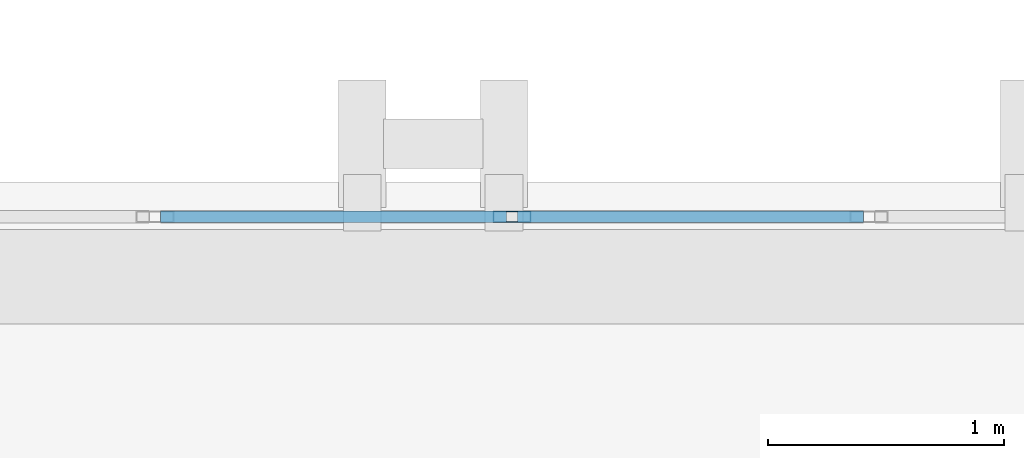
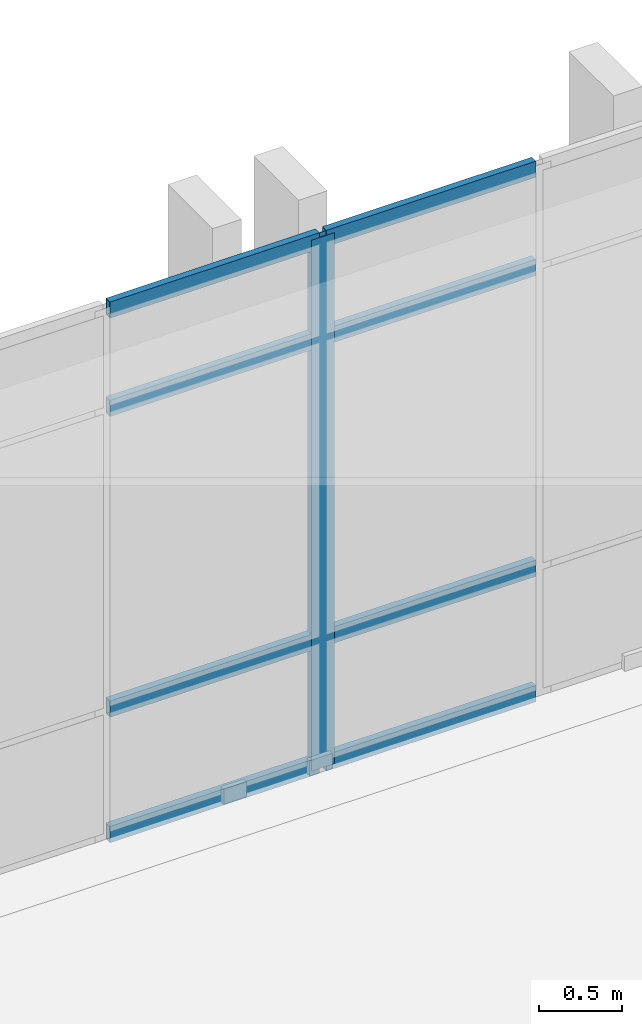
# One storey, part 102 of 165: 9 members, 1 element without a shape of its own.
"""IFC4 building model written with IfcOpenShell, lengths in metres."""

from ifc_helpers import new_model, si_unit, direction, frame, origin, origin_2d, place, context, subcontext, project, spatial, hollow_rectangle, extrude, material, layer, layer_set, material_profile, profile_set, type_object, element, aggregate, save


model = new_model("IFC4")

# Units and contexts
model_context = context("Model", 3, precision=1e-05, world=origin(), true_north=direction((0.0, 1.0)))
body_context = subcontext(model_context, "Body", "Model", "MODEL_VIEW")
ifc_project = project(units=[si_unit("LENGTHUNIT", "METRE"), si_unit("AREAUNIT", "SQUARE_METRE"), si_unit("VOLUMEUNIT", "CUBIC_METRE"), si_unit("PLANEANGLEUNIT", "RADIAN"), si_unit("MASSUNIT", "GRAM", prefix="KILO")], contexts=[model_context])

# Site, building, storey
site_placement = place(None, origin())
site = spatial("IfcSite", under=ifc_project, at=site_placement, CompositionType="ELEMENT")
building_placement = place(site_placement, origin())
building = spatial("IfcBuilding", under=site, at=building_placement, Name="Qalavern Law Courts", CompositionType="ELEMENT")
storey_placement = place(building_placement, frame((0.0, 0.0, 14.39990234375)))
storey = spatial("IfcBuildingStorey", under=building, at=storey_placement, Name="L03", CompositionType="ELEMENT", Elevation=14.39990234375)

# Curtain wall, members
ifc_material_1 = material(Name="Anodised aluminium and insulated glazing", Category="aluminium")
ifc_layer = layer(ifc_material_1, 0.172119140625)
ifc_layer_set = layer_set([ifc_layer], Name="Anodised aluminium and insulated glazing")
curtain_wall_type = type_object("IfcCurtainWallType", Name="ENV-CW-COURT", PredefinedType="USERDEFINED", material=ifc_layer_set)
curtain_wall_placement = place(storey_placement, origin())
curtain_wall = element("IfcCurtainWall", 1, at=curtain_wall_placement, inside=storey, type_object=curtain_wall_type, Name="V4 unitised curtain wall L03 north 1", ObjectType="UNITISED CURTAIN WALL", PredefinedType="USERDEFINED")
ifc_material_2 = material(Name="Anodised aluminium", Category="aluminium")
ifc_material_profile_1 = material_profile(ifc_material_2, hollow_rectangle(XDim=0.048095703125, YDim=0.159912109375, WallThickness=0.00390625, at=origin_2d()), Name="ALU MULLION 48x160")
ifc_profile_set_1 = profile_set([ifc_material_profile_1], Name="Anodised aluminium")
member_type_1 = type_object("IfcMemberType", Name="ENV-CWM-48x160", PredefinedType="MULLION", material=ifc_profile_set_1)
member_1_placement = place(storey_placement, frame((96.833251953125, 85.652587890625, 0.0), z_axis=(0.0, 0.0, 1.0), x_axis=(0.0, -1.0, 0.0)))
member_1 = element("IfcMember", 2, at=member_1_placement, type_object=member_type_1, Name="CW-03 mullion 7", PredefinedType="MULLION", context=body_context, shape_type="SweptSolid", body=[
    extrude(hollow_rectangle(XDim=0.048095703125, YDim=0.159912109375, WallThickness=0.00390625, at=origin_2d()), origin(), (0.0, 0.0, 1.0), 3.920166015625),
])
ifc_material_profile_2 = material_profile(ifc_material_2, hollow_rectangle(XDim=0.048095703125, YDim=0.1201171875, WallThickness=0.00390625, at=origin_2d()), Name="ALU TRANSOM 48x120")
ifc_profile_set_2 = profile_set([ifc_material_profile_2], Name="Anodised aluminium")
member_type_2 = type_object("IfcMemberType", Name="ENV-CWT-48x120", PredefinedType="USERDEFINED", material=ifc_profile_set_2)
member_2_placement = place(storey_placement, frame((98.320556640625, 85.652587890625, 0.024169921875), z_axis=(-1.0, 0.0, 0.0), x_axis=(0.0, -1.0, 0.0)))
member_2 = element("IfcMember", 3, at=member_2_placement, type_object=member_type_2, Name="CW-03 transom 6.1", ObjectType="TRANSOM", PredefinedType="USERDEFINED", context=body_context, shape_type="SweptSolid", body=[
    extrude(hollow_rectangle(XDim=0.048095703125, YDim=0.1201171875, WallThickness=0.00390625, at=origin_2d()), origin(), (0.0, 0.0, 1.0), 1.463134765625),
])
member_3_placement = place(storey_placement, frame((98.320556640625, 85.652587890625, 0.9501953125), z_axis=(-1.0, 0.0, 0.0), x_axis=(0.0, -1.0, 0.0)))
member_3 = element("IfcMember", 4, at=member_3_placement, type_object=member_type_2, Name="CW-03 transom 6.2", ObjectType="TRANSOM", PredefinedType="USERDEFINED", context=body_context, shape_type="SweptSolid", body=[
    extrude(hollow_rectangle(XDim=0.048095703125, YDim=0.1201171875, WallThickness=0.00390625, at=origin_2d()), origin(), (0.0, 0.0, 1.0), 1.463134765625),
])
member_4_placement = place(storey_placement, frame((98.320556640625, 85.652587890625, 3.170166015625), z_axis=(-1.0, 0.0, 0.0), x_axis=(0.0, -1.0, 0.0)))
member_4 = element("IfcMember", 5, at=member_4_placement, type_object=member_type_2, Name="CW-03 transom 6.3", ObjectType="TRANSOM", PredefinedType="USERDEFINED", context=body_context, shape_type="SweptSolid", body=[
    extrude(hollow_rectangle(XDim=0.048095703125, YDim=0.1201171875, WallThickness=0.00390625, at=origin_2d()), origin(), (0.0, 0.0, 1.0), 1.463134765625),
])
member_5_placement = place(storey_placement, frame((98.320556640625, 85.652587890625, 3.89599609375), z_axis=(-1.0, 0.0, 0.0), x_axis=(0.0, -1.0, 0.0)))
member_5 = element("IfcMember", 6, at=member_5_placement, type_object=member_type_2, Name="CW-03 transom 6.4", ObjectType="TRANSOM", PredefinedType="USERDEFINED", context=body_context, shape_type="SweptSolid", body=[
    extrude(hollow_rectangle(XDim=0.048095703125, YDim=0.1201171875, WallThickness=0.00390625, at=origin_2d()), origin(), (0.0, 0.0, 1.0), 1.463134765625),
])
member_6_placement = place(storey_placement, frame((96.809326171875, 85.652587890625, 0.024169921875), z_axis=(-1.0, 0.0, 0.0), x_axis=(0.0, -1.0, 0.0)))
member_6 = element("IfcMember", 7, at=member_6_placement, type_object=member_type_2, Name="CW-03 transom 7.1", ObjectType="TRANSOM", PredefinedType="USERDEFINED", context=body_context, shape_type="SweptSolid", body=[
    extrude(hollow_rectangle(XDim=0.048095703125, YDim=0.1201171875, WallThickness=0.00390625, at=origin_2d()), origin(), (0.0, 0.0, 1.0), 1.463134765625),
])
member_7_placement = place(storey_placement, frame((96.809326171875, 85.652587890625, 0.9501953125), z_axis=(-1.0, 0.0, 0.0), x_axis=(0.0, -1.0, 0.0)))
member_7 = element("IfcMember", 8, at=member_7_placement, type_object=member_type_2, Name="CW-03 transom 7.2", ObjectType="TRANSOM", PredefinedType="USERDEFINED", context=body_context, shape_type="SweptSolid", body=[
    extrude(hollow_rectangle(XDim=0.048095703125, YDim=0.1201171875, WallThickness=0.00390625, at=origin_2d()), origin(), (0.0, 0.0, 1.0), 1.463134765625),
])
member_8_placement = place(storey_placement, frame((96.809326171875, 85.652587890625, 3.170166015625), z_axis=(-1.0, 0.0, 0.0), x_axis=(0.0, -1.0, 0.0)))
member_8 = element("IfcMember", 9, at=member_8_placement, type_object=member_type_2, Name="CW-03 transom 7.3", ObjectType="TRANSOM", PredefinedType="USERDEFINED", context=body_context, shape_type="SweptSolid", body=[
    extrude(hollow_rectangle(XDim=0.048095703125, YDim=0.1201171875, WallThickness=0.00390625, at=origin_2d()), origin(), (0.0, 0.0, 1.0), 1.463134765625),
])
member_9_placement = place(storey_placement, frame((96.809326171875, 85.652587890625, 3.89599609375), z_axis=(-1.0, 0.0, 0.0), x_axis=(0.0, -1.0, 0.0)))
member_9 = element("IfcMember", 10, at=member_9_placement, type_object=member_type_2, Name="CW-03 transom 7.4", ObjectType="TRANSOM", PredefinedType="USERDEFINED", context=body_context, shape_type="SweptSolid", body=[
    extrude(hollow_rectangle(XDim=0.048095703125, YDim=0.1201171875, WallThickness=0.00390625, at=origin_2d()), origin(), (0.0, 0.0, 1.0), 1.463134765625),
])
aggregate(curtain_wall, [member_1, member_2, member_3, member_4, member_5, member_6, member_7, member_8, member_9])

save(model, "model.ifc")
